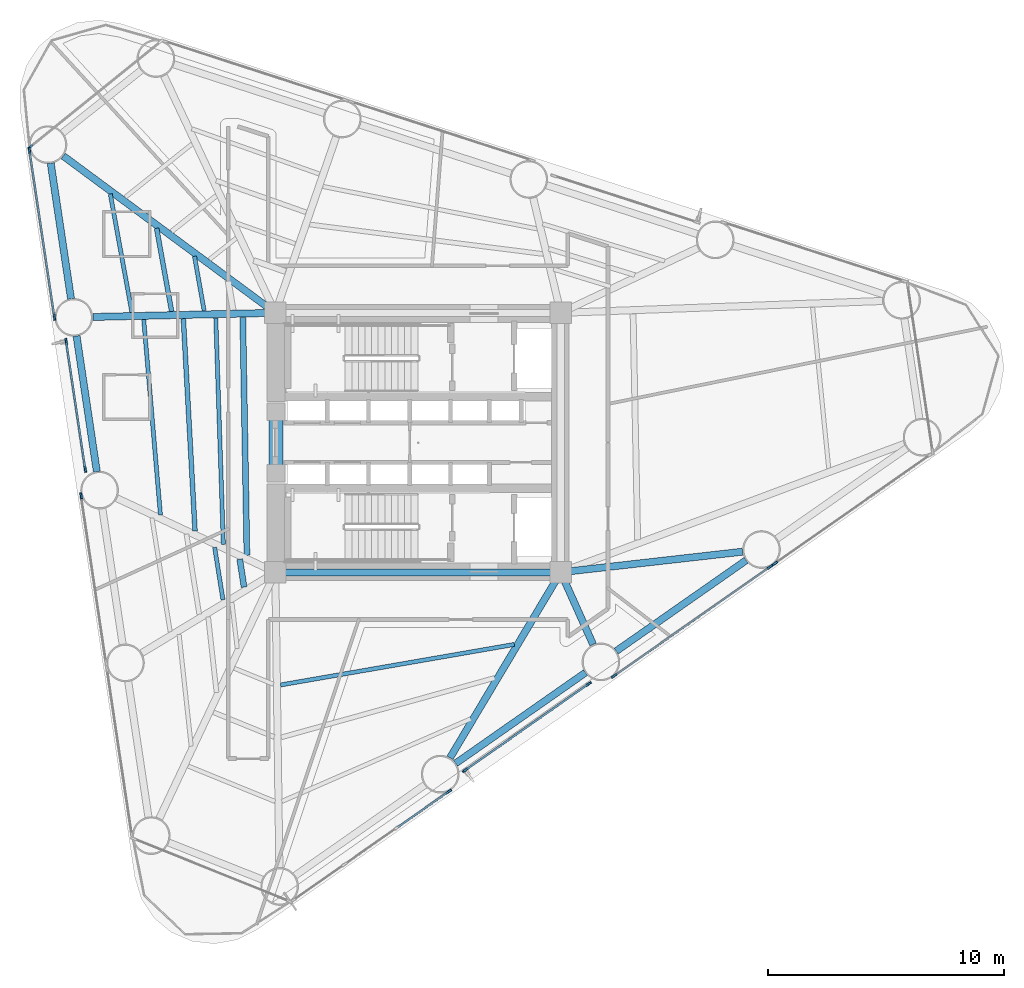
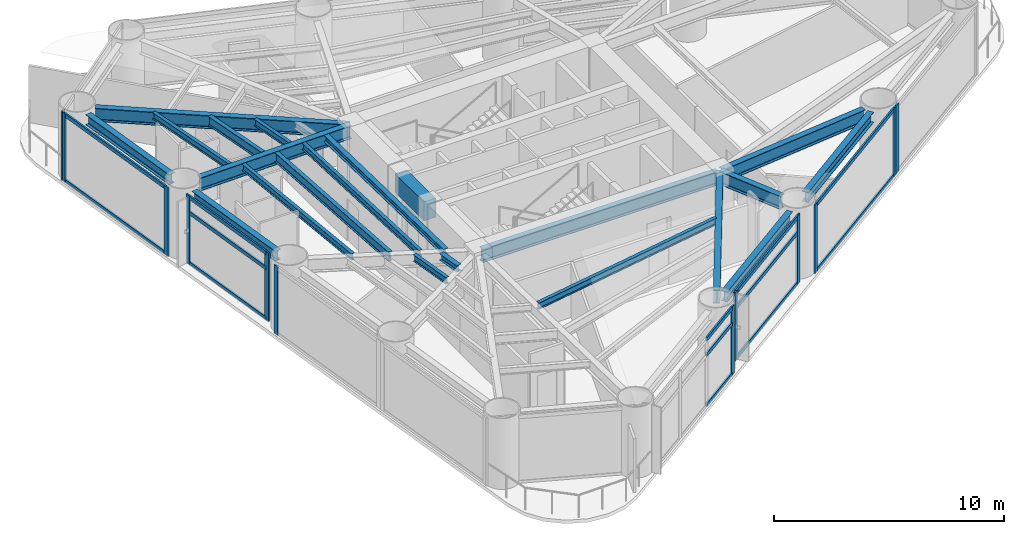
# One storey, part 2 of 11: 25 members, 21 beams, 8 elements without a shape of their own.
"""IFC4 building model written with IfcOpenShell, lengths in metres."""

from ifc_helpers import new_model, si_unit, direction, frame, origin, origin_2d, place, context, subcontext, project, spatial, rectangle, i_section, extrude, source, transform, mapped, material, layer, layer_set, material_profile, profile_set, type_object, element, aggregate, save


model = new_model("IFC4")

# Units and contexts
model_context = context("Model", 3, precision=1e-05, world=origin(), true_north=direction((0.0, 1.0)))
body_context = subcontext(model_context, "Body", "Model", "MODEL_VIEW")
ifc_project = project(units=[si_unit("LENGTHUNIT", "METRE"), si_unit("AREAUNIT", "SQUARE_METRE"), si_unit("VOLUMEUNIT", "CUBIC_METRE"), si_unit("PLANEANGLEUNIT", "RADIAN"), si_unit("MASSUNIT", "GRAM", prefix="KILO")], contexts=[model_context])

# Site, building, storey
site_placement = place(None, origin())
site = spatial("IfcSite", under=ifc_project, at=site_placement, CompositionType="ELEMENT")
building_placement = place(site_placement, origin())
building = spatial("IfcBuilding", under=site, at=building_placement, Name="Yunling Apex Tower", CompositionType="ELEMENT")
storey_placement = place(building_placement, frame((0.0, 0.0, 54.800048828125)))
storey = spatial("IfcBuildingStorey", under=building, at=storey_placement, Name="L14", CompositionType="ELEMENT", Elevation=54.800048828125)

# Beams
ifc_material_1 = material(Name="Concrete C60", Category="concrete")
ifc_material_profile_1 = material_profile(ifc_material_1, rectangle(XDim=0.60009765625, YDim=1.0, at=origin_2d()))
ifc_profile_set_1 = profile_set([ifc_material_profile_1], Name="Concrete C60")
beam_type_1 = type_object("IfcBeamType", Name="BC-CPL-1", PredefinedType="BEAM", material=ifc_profile_set_1)
shared_shape_1 = source(origin(), body_context, "Body", "SweptSolid", [
    extrude(rectangle(XDim=0.60009765625, YDim=1.0, at=origin_2d()), origin(), (0.0, 0.0, 1.0), 2.5),
])
beam_1_placement = place(storey_placement, frame((-6.02490234375, -1.25, 3.06494140625), z_axis=(0.0, 1.0, 0.0), x_axis=(-1.0, 0.0, 0.0)))
element("IfcBeam", 1, at=beam_1_placement, inside=storey, type_object=beam_type_1, Name="L14 Core West Portal Coupling Beam", PredefinedType="BEAM", context=body_context, shape_type="MappedRepresentation", body=[
    mapped(shared_shape_1, transform((0.0, 0.0, 0.0), scale=1.0)),
])
ifc_material_2 = material(Name="Steel Q355B", Category="steel")
ifc_material_profile_2 = material_profile(ifc_material_2, i_section(OverallWidth=0.300048828125, OverallDepth=0.699951171875, WebThickness=0.012939453125, FlangeThickness=0.02392578125, FilletRadius=0.02587890625, at=origin_2d()))
ifc_profile_set_2 = profile_set([ifc_material_profile_2], Name="Steel Q355B")
beam_type_2 = type_object("IfcBeamType", Name="BG-PRI-3", PredefinedType="USERDEFINED", material=ifc_profile_set_2)
shared_shape_2 = source(origin(), body_context, "Body", "SweptSolid", [
    extrude(i_section(OverallWidth=0.300048828125, OverallDepth=0.699951171875, WebThickness=0.012939453125, FlangeThickness=0.02392578125, FilletRadius=0.02587890625, at=origin_2d()), origin(), (0.0, 0.0, 1.0), 11.7998046875),
])
beam_2_placement = place(storey_placement, frame((-5.89990234375, -5.5, 3.21484375), z_axis=(1.0, 0.0, 0.0), x_axis=(0.0, 1.0, 0.0)))
element("IfcBeam", 2, at=beam_2_placement, inside=storey, type_object=beam_type_2, Name="L14 Core Ring Tie Beam 1", ObjectType="GIRDER", PredefinedType="USERDEFINED", context=body_context, shape_type="MappedRepresentation", body=[
    mapped(shared_shape_2, transform((0.0, 0.0, 0.0), scale=1.0)),
])
ifc_material_profile_3 = material_profile(ifc_material_2, i_section(OverallWidth=0.300048828125, OverallDepth=0.5400390625, WebThickness=0.011962890625, FlangeThickness=0.02001953125, FilletRadius=0.02392578125, at=origin_2d()))
ifc_profile_set_3 = profile_set([ifc_material_profile_3], Name="Steel Q355B")
beam_type_3 = type_object("IfcBeamType", Name="BP-SPN-1", PredefinedType="SPANDREL", material=ifc_profile_set_3)
shared_shape_3 = source(origin(), body_context, "Body", "SweptSolid", [
    extrude(i_section(OverallWidth=0.300048828125, OverallDepth=0.5400390625, WebThickness=0.011962890625, FlangeThickness=0.02001953125, FilletRadius=0.02392578125, at=origin_2d()), origin(), (0.0, 0.0, 1.0), 6.721435546875),
])
for number, where, z_axis, x_axis, name in (
    (3, (1.59228515625, -13.60302734375, 3.294921875), (0.81955772083, 0.572996633697, 0.0), (-0.572996633697, 0.81955772083, 0.0), "L14 Perimeter Spandrel Beam 2"),
    (4, (8.40234375, -8.841796875, 3.294921875), (0.81955772083, 0.572996633697, 0.0), (-0.572996633697, 0.81955772083, 0.0), "L14 Perimeter Spandrel Beam 3"),
):
    element("IfcBeam", number, at=place(storey_placement, frame(where, z_axis=z_axis, x_axis=x_axis)), inside=storey, type_object=beam_type_3, Name=name, PredefinedType="SPANDREL", context=body_context, shape_type="MappedRepresentation", body=[
        mapped(shared_shape_3, transform((0.0, 0.0, 0.0), scale=1.0)),
    ])
shared_shape_4 = source(origin(), body_context, "Body", "SweptSolid", [
    extrude(i_section(OverallWidth=0.300048828125, OverallDepth=0.5400390625, WebThickness=0.011962890625, FlangeThickness=0.02001953125, FilletRadius=0.02392578125, at=origin_2d()), origin(), (0.0, 0.0, 1.0), 5.81689453125),
])
for number, where, z_axis, x_axis, name in (
    (5, (-15.57177734375, 11.84423828125, 3.294921875), (0.147823230204, -0.989013797989, 0.0), (0.989013797989, 0.147823230204, 0.0), "L14 Perimeter Spandrel Beam 11"),
    (6, (-14.477294921875, 4.5205078125, 3.294921875), (0.147823230204, -0.989013797989, 0.0), (0.989013797989, 0.147823230204, 0.0), "L14 Perimeter Spandrel Beam 12"),
):
    element("IfcBeam", number, at=place(storey_placement, frame(where, z_axis=z_axis, x_axis=x_axis)), inside=storey, type_object=beam_type_3, Name=name, PredefinedType="SPANDREL", context=body_context, shape_type="MappedRepresentation", body=[
        mapped(shared_shape_4, transform((0.0, 0.0, 0.0), scale=1.0)),
    ])
shared_shape_5 = source(origin(), body_context, "Body", "SweptSolid", [
    extrude(i_section(OverallWidth=0.300048828125, OverallDepth=0.699951171875, WebThickness=0.012939453125, FlangeThickness=0.02392578125, FilletRadius=0.02587890625, at=origin_2d()), origin(), (0.0, 0.0, 1.0), 9.078857421875),
])
beam_3_placement = place(storey_placement, frame((1.355712890625, -13.3642578125, 3.21484375), z_axis=(0.512544819157, 0.858660473269, 0.0), x_axis=(-0.858660473269, 0.512544819157, 0.0)))
element("IfcBeam", 7, at=beam_3_placement, inside=storey, type_object=beam_type_2, Name="L14 Radial Primary Girder R02", ObjectType="GIRDER", PredefinedType="USERDEFINED", context=body_context, shape_type="MappedRepresentation", body=[
    mapped(shared_shape_5, transform((0.0, 0.0, 0.0), scale=1.0)),
])
shared_shape_6 = source(origin(), body_context, "Body", "SweptSolid", [
    extrude(i_section(OverallWidth=0.300048828125, OverallDepth=0.699951171875, WebThickness=0.012939453125, FlangeThickness=0.02392578125, FilletRadius=0.02587890625, at=origin_2d()), origin(), (0.0, 0.0, 1.0), 3.272705078125),
])
beam_4_placement = place(storey_placement, frame((7.421142578125, -8.5595703125, 3.21484375), z_axis=(-0.408946662986, 0.912558286814, 0.0), x_axis=(-0.912558286814, -0.408946662986, 0.0)))
element("IfcBeam", 8, at=beam_4_placement, inside=storey, type_object=beam_type_2, Name="L14 Radial Primary Girder R03", ObjectType="GIRDER", PredefinedType="USERDEFINED", context=body_context, shape_type="MappedRepresentation", body=[
    mapped(shared_shape_6, transform((0.0, 0.0, 0.0), scale=1.0)),
])
shared_shape_7 = source(origin(), body_context, "Body", "SweptSolid", [
    extrude(i_section(OverallWidth=0.300048828125, OverallDepth=0.699951171875, WebThickness=0.012939453125, FlangeThickness=0.02392578125, FilletRadius=0.02587890625, at=origin_2d()), origin(), (0.0, 0.0, 1.0), 7.677978515625),
])
beam_5_placement = place(storey_placement, frame((13.758544921875, -4.62646484375, 3.21484375), z_axis=(-0.993640958951, -0.112595047382, 0.0), x_axis=(0.112595047382, -0.993640958951, 0.0)))
element("IfcBeam", 9, at=beam_5_placement, inside=storey, type_object=beam_type_2, Name="L14 Radial Primary Girder R04", ObjectType="GIRDER", PredefinedType="USERDEFINED", context=body_context, shape_type="MappedRepresentation", body=[
    mapped(shared_shape_7, transform((0.0, 0.0, 0.0), scale=1.0)),
])
shared_shape_8 = source(origin(), body_context, "Body", "SweptSolid", [
    extrude(i_section(OverallWidth=0.300048828125, OverallDepth=0.699951171875, WebThickness=0.012939453125, FlangeThickness=0.02392578125, FilletRadius=0.02587890625, at=origin_2d()), origin(), (0.0, 0.0, 1.0), 11.101318359375),
])
beam_6_placement = place(storey_placement, frame((-15.03955078125, 12.14892578125, 3.21484375), z_axis=(0.803988254112, -0.594645177606, 0.0), x_axis=(0.594645177606, 0.803988254112, 0.0)))
element("IfcBeam", 10, at=beam_6_placement, inside=storey, type_object=beam_type_2, Name="L14 Radial Primary Girder R11", ObjectType="GIRDER", PredefinedType="USERDEFINED", context=body_context, shape_type="MappedRepresentation", body=[
    mapped(shared_shape_8, transform((0.0, 0.0, 0.0), scale=1.0)),
])
shared_shape_9 = source(origin(), body_context, "Body", "SweptSolid", [
    extrude(i_section(OverallWidth=0.300048828125, OverallDepth=0.699951171875, WebThickness=0.012939453125, FlangeThickness=0.02392578125, FilletRadius=0.02587890625, at=origin_2d()), origin(), (0.0, 0.0, 1.0), 7.658935546875),
])
beam_7_placement = place(storey_placement, frame((-13.786865234375, 5.32421875, 3.21484375), z_axis=(0.999741687414, 0.022727922173, 0.0), x_axis=(-0.022727922173, 0.999741687414, 0.0)))
element("IfcBeam", 11, at=beam_7_placement, inside=storey, type_object=beam_type_2, Name="L14 Radial Primary Girder R12", ObjectType="GIRDER", PredefinedType="USERDEFINED", context=body_context, shape_type="MappedRepresentation", body=[
    mapped(shared_shape_9, transform((0.0, 0.0, 0.0), scale=1.0)),
])
ifc_material_profile_4 = material_profile(ifc_material_2, i_section(OverallWidth=0.175048828125, OverallDepth=0.35009765625, WebThickness=0.007080078125, FlangeThickness=0.010986328125, FilletRadius=0.013916015625, at=origin_2d()))
ifc_profile_set_4 = profile_set([ifc_material_profile_4], Name="Steel Q355B")
beam_type_4 = type_object("IfcBeamType", Name="BJ-JST-1", PredefinedType="JOIST", material=ifc_profile_set_4)
shared_shape_10 = source(origin(), body_context, "Body", "SweptSolid", [
    extrude(i_section(OverallWidth=0.175048828125, OverallDepth=0.35009765625, WebThickness=0.007080078125, FlangeThickness=0.010986328125, FilletRadius=0.013916015625, at=origin_2d()), origin(), (0.0, 0.0, 1.0), 10.057861328125),
])
beam_8_placement = place(storey_placement, frame((-5.826904296875, -10.276611328125, 3.389892578125), z_axis=(0.985298923649, 0.170839196488, 0.0), x_axis=(-0.170839196488, 0.985298923649, 0.0)))
element("IfcBeam", 12, at=beam_8_placement, inside=storey, type_object=beam_type_4, Name="L14 Composite Floor Joist BJ3-1", PredefinedType="JOIST", context=body_context, shape_type="MappedRepresentation", body=[
    mapped(shared_shape_10, transform((0.0, 0.0, 0.0), scale=1.0)),
])
ifc_material_profile_5 = material_profile(ifc_material_2, i_section(OverallWidth=0.199951171875, OverallDepth=0.5, WebThickness=0.010009765625, FlangeThickness=0.01611328125, FilletRadius=0.02001953125, at=origin_2d()))
ifc_profile_set_5 = profile_set([ifc_material_profile_5], Name="Steel Q355B")
beam_type_5 = type_object("IfcBeamType", Name="BS-SEC-2", PredefinedType="BEAM", material=ifc_profile_set_5)
shared_shape_11 = source(origin(), body_context, "Body", "SweptSolid", [
    extrude(i_section(OverallWidth=0.199951171875, OverallDepth=0.5, WebThickness=0.010009765625, FlangeThickness=0.01611328125, FilletRadius=0.02001953125, at=origin_2d()), origin(), (0.0, 0.0, 1.0), 3.5859375),
])
beam_9_placement = place(storey_placement, frame((-11.083984375, 9.0869140625, 3.31494140625), z_axis=(0.177830877335, -0.984061064704, 0.0), x_axis=(0.984061064704, 0.177830877335, 0.0)))
element("IfcBeam", 13, at=beam_9_placement, inside=storey, type_object=beam_type_5, Name="L14 Composite Floor Beam BS-11", PredefinedType="BEAM", context=body_context, shape_type="MappedRepresentation", body=[
    mapped(shared_shape_11, transform((0.0, 0.0, 0.0), scale=1.0)),
])
shared_shape_12 = source(origin(), body_context, "Body", "SweptSolid", [
    extrude(i_section(OverallWidth=0.175048828125, OverallDepth=0.35009765625, WebThickness=0.007080078125, FlangeThickness=0.010986328125, FilletRadius=0.013916015625, at=origin_2d()), origin(), (0.0, 0.0, 1.0), 5.102294921875),
])
beam_10_placement = place(storey_placement, frame((-13.047119140625, 10.539306640625, 3.389892578125), z_axis=(0.179533864947, -0.983751793562, 0.0), x_axis=(0.983751793562, 0.179533864947, 0.0)))
element("IfcBeam", 14, at=beam_10_placement, inside=storey, type_object=beam_type_4, Name="L14 Composite Floor Joist BJ1-11", PredefinedType="JOIST", context=body_context, shape_type="MappedRepresentation", body=[
    mapped(shared_shape_12, transform((0.0, 0.0, 0.0), scale=1.0)),
])
shared_shape_13 = source(origin(), body_context, "Body", "SweptSolid", [
    extrude(i_section(OverallWidth=0.175048828125, OverallDepth=0.35009765625, WebThickness=0.007080078125, FlangeThickness=0.010986328125, FilletRadius=0.013916015625, at=origin_2d()), origin(), (0.0, 0.0, 1.0), 2.34521484375),
])
beam_11_placement = place(storey_placement, frame((-9.477783203125, 7.898681640625, 3.389892578125), z_axis=(0.174889813897, -0.984588011808, 0.0), x_axis=(0.984588011808, 0.174889813897, 0.0)))
element("IfcBeam", 15, at=beam_11_placement, inside=storey, type_object=beam_type_4, Name="L14 Composite Floor Joist BJ3-11", PredefinedType="JOIST", context=body_context, shape_type="MappedRepresentation", body=[
    mapped(shared_shape_13, transform((0.0, 0.0, 0.0), scale=1.0)),
])
shared_shape_14 = source(origin(), body_context, "Body", "SweptSolid", [
    extrude(i_section(OverallWidth=0.199951171875, OverallDepth=0.5, WebThickness=0.010009765625, FlangeThickness=0.01611328125, FilletRadius=0.02001953125, at=origin_2d()), origin(), (0.0, 0.0, 1.0), 9.018310546875),
])
beam_12_placement = place(storey_placement, frame((-9.94970703125, 5.25146484375, 3.31494140625), z_axis=(0.054955731572, -0.998488791909, 0.0), x_axis=(0.998488791909, 0.054955731572, 0.0)))
element("IfcBeam", 16, at=beam_12_placement, inside=storey, type_object=beam_type_5, Name="L14 Composite Floor Beam BS-12", PredefinedType="BEAM", context=body_context, shape_type="MappedRepresentation", body=[
    mapped(shared_shape_14, transform((0.0, 0.0, 0.0), scale=1.0)),
])
shared_shape_15 = source(origin(), body_context, "Body", "SweptSolid", [
    extrude(i_section(OverallWidth=0.175048828125, OverallDepth=0.35009765625, WebThickness=0.007080078125, FlangeThickness=0.010986328125, FilletRadius=0.013916015625, at=origin_2d()), origin(), (0.0, 0.0, 1.0), 8.313720703125),
])
beam_13_placement = place(storey_placement, frame((-11.62939453125, 5.21337890625, 3.389892578125), z_axis=(0.085220398072, -0.996362124808, 0.0), x_axis=(0.996362124808, 0.085220398072, 0.0)))
element("IfcBeam", 17, at=beam_13_placement, inside=storey, type_object=beam_type_4, Name="L14 Composite Floor Joist BJ1-12", PredefinedType="JOIST", context=body_context, shape_type="MappedRepresentation", body=[
    mapped(shared_shape_15, transform((0.0, 0.0, 0.0), scale=1.0)),
])
shared_shape_16 = source(origin(), body_context, "Body", "SweptSolid", [
    extrude(i_section(OverallWidth=0.175048828125, OverallDepth=0.35009765625, WebThickness=0.007080078125, FlangeThickness=0.010986328125, FilletRadius=0.013916015625, at=origin_2d()), origin(), (0.0, 0.0, 1.0), 9.600341796875),
])
beam_14_placement = place(storey_placement, frame((-8.57470703125, 5.28271484375, 3.389892578125), z_axis=(0.033364787957, -0.999443240472, 0.0), x_axis=(0.999443240472, 0.033364787957, 0.0)))
element("IfcBeam", 18, at=beam_14_placement, inside=storey, type_object=beam_type_4, Name="L14 Composite Floor Joist BJ3-12", PredefinedType="JOIST", context=body_context, shape_type="MappedRepresentation", body=[
    mapped(shared_shape_16, transform((0.0, 0.0, 0.0), scale=1.0)),
])
ifc_material_profile_6 = material_profile(ifc_material_2, i_section(OverallWidth=0.25, OverallDepth=0.340087890625, WebThickness=0.009033203125, FlangeThickness=0.013916015625, FilletRadius=0.01806640625, at=origin_2d()))
ifc_profile_set_6 = profile_set([ifc_material_profile_6], Name="Steel Q355B")
beam_type_6 = type_object("IfcBeamType", Name="BJ-JST-2", PredefinedType="JOIST", material=ifc_profile_set_6)
shared_shape_17 = source(origin(), body_context, "Body", "SweptSolid", [
    extrude(i_section(OverallWidth=0.25, OverallDepth=0.340087890625, WebThickness=0.009033203125, FlangeThickness=0.013916015625, FilletRadius=0.01806640625, at=origin_2d()), origin(), (0.0, 0.0, 1.0), 10.088134765625),
])
beam_15_placement = place(storey_placement, frame((-7.428955078125, 5.30859375, 3.39501953125), z_axis=(0.017255085284, -0.999851119933, 0.0), x_axis=(0.999851119933, 0.017255085284, 0.0)))
element("IfcBeam", 19, at=beam_15_placement, inside=storey, type_object=beam_type_6, Name="L14 Composite Floor Joist BJ2-12", PredefinedType="JOIST", context=body_context, shape_type="MappedRepresentation", body=[
    mapped(shared_shape_17, transform((0.0, 0.0, 0.0), scale=1.0)),
])
shared_shape_18 = source(origin(), body_context, "Body", "SweptSolid", [
    extrude(i_section(OverallWidth=0.175048828125, OverallDepth=0.35009765625, WebThickness=0.007080078125, FlangeThickness=0.010986328125, FilletRadius=0.013916015625, at=origin_2d()), origin(), (0.0, 0.0, 1.0), 2.252685546875),
])
beam_16_placement = place(storey_placement, frame((-8.622802734375, -4.443603515625, 3.389892578125), z_axis=(0.156608129458, -0.987660819203, 0.0), x_axis=(0.987660819203, 0.156608129458, 0.0)))
element("IfcBeam", 20, at=beam_16_placement, inside=storey, type_object=beam_type_4, Name="L14 Composite Floor Joist BJ3-13", PredefinedType="JOIST", context=body_context, shape_type="MappedRepresentation", body=[
    mapped(shared_shape_18, transform((0.0, 0.0, 0.0), scale=1.0)),
])
shared_shape_19 = source(origin(), body_context, "Body", "SweptSolid", [
    extrude(i_section(OverallWidth=0.25, OverallDepth=0.340087890625, WebThickness=0.009033203125, FlangeThickness=0.013916015625, FilletRadius=0.01806640625, at=origin_2d()), origin(), (0.0, 0.0, 1.0), 1.20068359375),
])
beam_17_placement = place(storey_placement, frame((-7.559814453125, -4.94091796875, 3.39501953125), z_axis=(0.154531945298, -0.987987792375, 0.0), x_axis=(0.987987792375, 0.154531945298, 0.0)))
element("IfcBeam", 21, at=beam_17_placement, inside=storey, type_object=beam_type_6, Name="L14 Composite Floor Joist BJ2-13", PredefinedType="JOIST", context=body_context, shape_type="MappedRepresentation", body=[
    mapped(shared_shape_19, transform((0.0, 0.0, 0.0), scale=1.0)),
])

# Curtain wall, member
ifc_material_3 = material(Name="Bronze anodised aluminium", Category="aluminium")
ifc_layer = layer(ifc_material_3, 0.260009765625)
ifc_layer_set = layer_set([ifc_layer], Name="Bronze anodised aluminium")
curtain_wall_type = type_object("IfcCurtainWallType", Name="CW-SYS-2", PredefinedType="NOTDEFINED", material=ifc_layer_set)
curtain_wall_1_placement = place(storey_placement, origin())
curtain_wall_1 = element("IfcCurtainWall", 22, at=curtain_wall_1_placement, inside=storey, type_object=curtain_wall_type, Name="CW-L14-F1-B1", PredefinedType="NOTDEFINED")
ifc_material_profile_7 = material_profile(ifc_material_3, rectangle(XDim=0.0849609375, YDim=0.260009765625, at=origin_2d()))
ifc_profile_set_7 = profile_set([ifc_material_profile_7], Name="Bronze anodised aluminium")
member_type_1 = type_object("IfcMemberType", Name="CW-MUL-2", PredefinedType="MULLION", material=ifc_profile_set_7)
shared_shape_20 = source(origin(), body_context, "Body", "SweptSolid", [
    extrude(rectangle(XDim=0.0849609375, YDim=0.260009765625, at=origin_2d()), origin(), (0.0, 0.0, 1.0), 3.6650390625),
])
member_1_placement = place(storey_placement, frame((1.305419921875, -14.7919921875, -0.050048828125), z_axis=(0.0, 0.0, 1.0), x_axis=(-0.573004358875, 0.819552319691, 0.0)))
member_1 = element("IfcMember", 23, at=member_1_placement, type_object=member_type_1, Name="CW-SYS-2 mullion 4", PredefinedType="MULLION", context=body_context, shape_type="MappedRepresentation", body=[
    mapped(shared_shape_20, transform((0.0, 0.0, 0.0), scale=1.0)),
])

# Curtain wall, members
curtain_wall_2_placement = place(storey_placement, origin())
curtain_wall_2 = element("IfcCurtainWall", 24, at=curtain_wall_2_placement, inside=storey, type_object=curtain_wall_type, Name="CW-L14-F1-B2", PredefinedType="NOTDEFINED")
member_2_placement = place(storey_placement, frame((1.999755859375, -13.8916015625, -0.050048828125), z_axis=(0.0, 0.0, 1.0), x_axis=(-0.573002671888, 0.819553499175, 0.0)))
member_2 = element("IfcMember", 25, at=member_2_placement, type_object=member_type_1, Name="CW-SYS-2 mullion 1", PredefinedType="MULLION", context=body_context, shape_type="MappedRepresentation", body=[
    mapped(shared_shape_20, transform((0.0, 0.0, 0.0), scale=1.0)),
])
member_3_placement = place(storey_placement, frame((7.232177734375, -10.2333984375, -0.050048828125), z_axis=(0.0, 0.0, 1.0), x_axis=(-0.573002671888, 0.819553499175, 0.0)))
member_3 = element("IfcMember", 26, at=member_3_placement, type_object=member_type_1, Name="CW-SYS-2 mullion 2", PredefinedType="MULLION", context=body_context, shape_type="MappedRepresentation", body=[
    mapped(shared_shape_20, transform((0.0, 0.0, 0.0), scale=1.0)),
])

curtain_wall_3_placement = place(storey_placement, origin())
curtain_wall_3 = element("IfcCurtainWall", 27, at=curtain_wall_3_placement, inside=storey, type_object=curtain_wall_type, Name="CW-L14-F1-B3", PredefinedType="NOTDEFINED")
member_4_placement = place(storey_placement, frame((8.31591796875, -9.890380859375, -0.050048828125), z_axis=(0.0, 0.0, 1.0), x_axis=(-0.572996116804, 0.819558082217, 0.0)))
member_4 = element("IfcMember", 28, at=member_4_placement, type_object=member_type_1, Name="CW-SYS-2 mullion 1", PredefinedType="MULLION", context=body_context, shape_type="MappedRepresentation", body=[
    mapped(shared_shape_20, transform((0.0, 0.0, 0.0), scale=1.0)),
])
member_5_placement = place(storey_placement, frame((14.925048828125, -5.26953125, -0.050048828125), z_axis=(0.0, 0.0, 1.0), x_axis=(-0.572996116804, 0.819558082217, 0.0)))
member_5 = element("IfcMember", 29, at=member_5_placement, type_object=member_type_1, Name="CW-SYS-2 mullion 2", PredefinedType="MULLION", context=body_context, shape_type="MappedRepresentation", body=[
    mapped(shared_shape_20, transform((0.0, 0.0, 0.0), scale=1.0)),
])

# Curtain wall, member
curtain_wall_4_placement = place(storey_placement, origin())
curtain_wall_4 = element("IfcCurtainWall", 30, at=curtain_wall_4_placement, inside=storey, type_object=curtain_wall_type, Name="CW-L14-F1-B4", PredefinedType="NOTDEFINED")
member_6_placement = place(storey_placement, frame((15.1259765625, -5.129150390625, -0.050048828125), z_axis=(0.0, 0.0, 1.0), x_axis=(-0.573004358875, 0.819552319691, 0.0)))
member_6 = element("IfcMember", 31, at=member_6_placement, type_object=member_type_1, Name="CW-SYS-2 mullion 1", PredefinedType="MULLION", context=body_context, shape_type="MappedRepresentation", body=[
    mapped(shared_shape_20, transform((0.0, 0.0, 0.0), scale=1.0)),
])
aggregate(curtain_wall_4, [member_6])

curtain_wall_5_placement = place(storey_placement, origin())
curtain_wall_5 = element("IfcCurtainWall", 32, at=curtain_wall_5_placement, inside=storey, type_object=curtain_wall_type, Name="CW-L14-CRN2", PredefinedType="NOTDEFINED")
member_7_placement = place(storey_placement, frame((-16.4375, 12.539306640625, -0.050048828125), z_axis=(0.0, 0.0, 1.0), x_axis=(0.628079941911, -0.778148820322, 0.0)))
member_7 = element("IfcMember", 33, at=member_7_placement, type_object=member_type_1, Name="CW-SYS-2 mullion 2", PredefinedType="MULLION", context=body_context, shape_type="MappedRepresentation", body=[
    mapped(shared_shape_20, transform((0.0, 0.0, 0.0), scale=1.0)),
])
aggregate(curtain_wall_5, [member_7])

# Curtain wall, members
curtain_wall_6_placement = place(storey_placement, origin())
curtain_wall_6 = element("IfcCurtainWall", 34, at=curtain_wall_6_placement, inside=storey, type_object=curtain_wall_type, Name="CW-L14-F3-B1", PredefinedType="NOTDEFINED")
member_8_placement = place(storey_placement, frame((-16.47216796875, 12.388671875, -0.050048828125), z_axis=(0.0, 0.0, 1.0), x_axis=(0.989017400941, 0.147799122579, 0.0)))
member_8 = element("IfcMember", 35, at=member_8_placement, type_object=member_type_1, Name="CW-SYS-2 mullion 1", PredefinedType="MULLION", context=body_context, shape_type="MappedRepresentation", body=[
    mapped(shared_shape_20, transform((0.0, 0.0, 0.0), scale=1.0)),
])
member_9_placement = place(storey_placement, frame((-15.413818359375, 5.307373046875, -0.050048828125), z_axis=(0.0, 0.0, 1.0), x_axis=(0.989017400941, 0.147799122579, 0.0)))
member_9 = element("IfcMember", 36, at=member_9_placement, type_object=member_type_1, Name="CW-SYS-2 mullion 2", PredefinedType="MULLION", context=body_context, shape_type="MappedRepresentation", body=[
    mapped(shared_shape_20, transform((0.0, 0.0, 0.0), scale=1.0)),
])

curtain_wall_7_placement = place(storey_placement, origin())
curtain_wall_7 = element("IfcCurtainWall", 37, at=curtain_wall_7_placement, inside=storey, type_object=curtain_wall_type, Name="CW-L14-F3-B2", PredefinedType="NOTDEFINED")
member_10_placement = place(storey_placement, frame((-14.917236328125, 4.28466796875, -0.050048828125), z_axis=(0.0, 0.0, 1.0), x_axis=(0.98901713531, 0.147800900076, 0.0)))
member_10 = element("IfcMember", 38, at=member_10_placement, type_object=member_type_1, Name="CW-SYS-2 mullion 1", PredefinedType="MULLION", context=body_context, shape_type="MappedRepresentation", body=[
    mapped(shared_shape_20, transform((0.0, 0.0, 0.0), scale=1.0)),
])
member_11_placement = place(storey_placement, frame((-14.107177734375, -1.13525390625, -0.050048828125), z_axis=(0.0, 0.0, 1.0), x_axis=(0.98901713531, 0.147800900076, 0.0)))
member_11 = element("IfcMember", 39, at=member_11_placement, type_object=member_type_1, Name="CW-SYS-2 mullion 2", PredefinedType="MULLION", context=body_context, shape_type="MappedRepresentation", body=[
    mapped(shared_shape_20, transform((0.0, 0.0, 0.0), scale=1.0)),
])

# Curtain wall, member
curtain_wall_8_placement = place(storey_placement, origin())
curtain_wall_8 = element("IfcCurtainWall", 40, at=curtain_wall_8_placement, inside=storey, type_object=curtain_wall_type, Name="CW-L14-F3-B3", PredefinedType="NOTDEFINED")
member_12_placement = place(storey_placement, frame((-14.283203125, -2.258544921875, -0.050048828125), z_axis=(0.0, 0.0, 1.0), x_axis=(0.98901508166, 0.147814641525, 0.0)))
member_12 = element("IfcMember", 41, at=member_12_placement, type_object=member_type_1, Name="CW-SYS-2 mullion 1", PredefinedType="MULLION", context=body_context, shape_type="MappedRepresentation", body=[
    mapped(shared_shape_20, transform((0.0, 0.0, 0.0), scale=1.0)),
])
aggregate(curtain_wall_8, [member_12])

# Member
ifc_material_profile_8 = material_profile(ifc_material_3, rectangle(XDim=0.0849609375, YDim=0.199951171875, at=origin_2d()))
ifc_profile_set_8 = profile_set([ifc_material_profile_8], Name="Bronze anodised aluminium")
member_type_2 = type_object("IfcMemberType", Name="CW-TRN-2", PredefinedType="USERDEFINED", material=ifc_profile_set_8)
shared_shape_21 = source(origin(), body_context, "Body", "SweptSolid", [
    extrude(rectangle(XDim=0.0849609375, YDim=0.199951171875, at=origin_2d()), origin(), (0.0, 0.0, 1.0), 2.59765625),
])
member_13_placement = place(storey_placement, frame((-0.854736328125, -16.30224609375, 0.04248046875), z_axis=(0.819585012743, 0.572957596064, 0.0), x_axis=(-0.572957596064, 0.819585012743, 0.0)))
member_13 = element("IfcMember", 42, at=member_13_placement, type_object=member_type_2, Name="CW-SYS-2 transom 3.1", ObjectType="TRANSOM", PredefinedType="USERDEFINED", context=body_context, shape_type="MappedRepresentation", body=[
    mapped(shared_shape_21, transform((0.0, 0.0, 0.0), scale=1.0)),
])

member_14_placement = place(storey_placement, frame((-0.854736328125, -16.30224609375, 2.71484375), z_axis=(0.819585012743, 0.572957596064, 0.0), x_axis=(-0.572957596064, 0.819585012743, 0.0)))
member_14 = element("IfcMember", 43, at=member_14_placement, type_object=member_type_2, Name="CW-SYS-2 transom 3.2", ObjectType="TRANSOM", PredefinedType="USERDEFINED", context=body_context, shape_type="MappedRepresentation", body=[
    mapped(shared_shape_21, transform((0.0, 0.0, 0.0), scale=1.0)),
])

member_15_placement = place(storey_placement, frame((-0.854736328125, -16.30224609375, 3.5224609375), z_axis=(0.819585012743, 0.572957596064, 0.0), x_axis=(-0.572957596064, 0.819585012743, 0.0)))
member_15 = element("IfcMember", 44, at=member_15_placement, type_object=member_type_2, Name="CW-SYS-2 transom 3.3", ObjectType="TRANSOM", PredefinedType="USERDEFINED", context=body_context, shape_type="MappedRepresentation", body=[
    mapped(shared_shape_21, transform((0.0, 0.0, 0.0), scale=1.0)),
])

aggregate(curtain_wall_1, [member_1, member_13, member_14, member_15])

shared_shape_22 = source(origin(), body_context, "Body", "SweptSolid", [
    extrude(rectangle(XDim=0.0849609375, YDim=0.199951171875, at=origin_2d()), origin(), (0.0, 0.0, 1.0), 6.3076171875),
])
member_16_placement = place(storey_placement, frame((2.03125, -13.86962890625, 0.04248046875), z_axis=(0.819555463581, 0.57299986223, 0.0), x_axis=(-0.57299986223, 0.819555463581, 0.0)))
member_16 = element("IfcMember", 45, at=member_16_placement, type_object=member_type_2, Name="CW-SYS-2 transom 1.1", ObjectType="TRANSOM", PredefinedType="USERDEFINED", context=body_context, shape_type="MappedRepresentation", body=[
    mapped(shared_shape_22, transform((0.0, 0.0, 0.0), scale=1.0)),
])

member_17_placement = place(storey_placement, frame((2.03125, -13.86962890625, 2.71484375), z_axis=(0.819555463581, 0.57299986223, 0.0), x_axis=(-0.57299986223, 0.819555463581, 0.0)))
member_17 = element("IfcMember", 46, at=member_17_placement, type_object=member_type_2, Name="CW-SYS-2 transom 1.2", ObjectType="TRANSOM", PredefinedType="USERDEFINED", context=body_context, shape_type="MappedRepresentation", body=[
    mapped(shared_shape_22, transform((0.0, 0.0, 0.0), scale=1.0)),
])

member_18_placement = place(storey_placement, frame((2.03125, -13.86962890625, 3.5224609375), z_axis=(0.819555463581, 0.57299986223, 0.0), x_axis=(-0.57299986223, 0.819555463581, 0.0)))
member_18 = element("IfcMember", 47, at=member_18_placement, type_object=member_type_2, Name="CW-SYS-2 transom 1.3", ObjectType="TRANSOM", PredefinedType="USERDEFINED", context=body_context, shape_type="MappedRepresentation", body=[
    mapped(shared_shape_22, transform((0.0, 0.0, 0.0), scale=1.0)),
])

aggregate(curtain_wall_2, [member_2, member_3, member_16, member_17, member_18])

shared_shape_23 = source(origin(), body_context, "Body", "SweptSolid", [
    extrude(rectangle(XDim=0.0849609375, YDim=0.199951171875, at=origin_2d()), origin(), (0.0, 0.0, 1.0), 7.98779296875),
])
member_19_placement = place(storey_placement, frame((8.347412109375, -9.868408203125, 0.04248046875), z_axis=(0.819559176955, 0.572994550995, 0.0), x_axis=(-0.572994550995, 0.819559176955, 0.0)))
member_19 = element("IfcMember", 48, at=member_19_placement, type_object=member_type_2, Name="CW-SYS-2 transom 1.1", ObjectType="TRANSOM", PredefinedType="USERDEFINED", context=body_context, shape_type="MappedRepresentation", body=[
    mapped(shared_shape_23, transform((0.0, 0.0, 0.0), scale=1.0)),
])

member_20_placement = place(storey_placement, frame((8.347412109375, -9.868408203125, 3.5224609375), z_axis=(0.819559176955, 0.572994550995, 0.0), x_axis=(-0.572994550995, 0.819559176955, 0.0)))
member_20 = element("IfcMember", 49, at=member_20_placement, type_object=member_type_2, Name="CW-SYS-2 transom 1.2", ObjectType="TRANSOM", PredefinedType="USERDEFINED", context=body_context, shape_type="MappedRepresentation", body=[
    mapped(shared_shape_23, transform((0.0, 0.0, 0.0), scale=1.0)),
])

aggregate(curtain_wall_3, [member_4, member_5, member_19, member_20])

shared_shape_24 = source(origin(), body_context, "Body", "SweptSolid", [
    extrude(rectangle(XDim=0.0849609375, YDim=0.199951171875, at=origin_2d()), origin(), (0.0, 0.0, 1.0), 7.08349609375),
])
member_21_placement = place(storey_placement, frame((-16.466552734375, 12.350830078125, 0.04248046875), z_axis=(0.147826386349, -0.989013326249, 0.0), x_axis=(0.989013326249, 0.147826386349, 0.0)))
member_21 = element("IfcMember", 50, at=member_21_placement, type_object=member_type_2, Name="CW-SYS-2 transom 1.1", ObjectType="TRANSOM", PredefinedType="USERDEFINED", context=body_context, shape_type="MappedRepresentation", body=[
    mapped(shared_shape_24, transform((0.0, 0.0, 0.0), scale=1.0)),
])

member_22_placement = place(storey_placement, frame((-16.466552734375, 12.350830078125, 3.5224609375), z_axis=(0.147826386349, -0.989013326249, 0.0), x_axis=(0.989013326249, 0.147826386349, 0.0)))
member_22 = element("IfcMember", 51, at=member_22_placement, type_object=member_type_2, Name="CW-SYS-2 transom 1.2", ObjectType="TRANSOM", PredefinedType="USERDEFINED", context=body_context, shape_type="MappedRepresentation", body=[
    mapped(shared_shape_24, transform((0.0, 0.0, 0.0), scale=1.0)),
])

aggregate(curtain_wall_6, [member_8, member_9, member_21, member_22])

shared_shape_25 = source(origin(), body_context, "Body", "SweptSolid", [
    extrude(rectangle(XDim=0.0849609375, YDim=0.199951171875, at=origin_2d()), origin(), (0.0, 0.0, 1.0), 5.403564453125),
])
member_23_placement = place(storey_placement, frame((-14.91162109375, 4.246826171875, 0.04248046875), z_axis=(0.147788090943, -0.98901904945, 0.0), x_axis=(0.98901904945, 0.147788090943, 0.0)))
member_23 = element("IfcMember", 52, at=member_23_placement, type_object=member_type_2, Name="CW-SYS-2 transom 1.1", ObjectType="TRANSOM", PredefinedType="USERDEFINED", context=body_context, shape_type="MappedRepresentation", body=[
    mapped(shared_shape_25, transform((0.0, 0.0, 0.0), scale=1.0)),
])

member_24_placement = place(storey_placement, frame((-14.91162109375, 4.246826171875, 2.71484375), z_axis=(0.147788090943, -0.98901904945, 0.0), x_axis=(0.98901904945, 0.147788090943, 0.0)))
member_24 = element("IfcMember", 53, at=member_24_placement, type_object=member_type_2, Name="CW-SYS-2 transom 1.2", ObjectType="TRANSOM", PredefinedType="USERDEFINED", context=body_context, shape_type="MappedRepresentation", body=[
    mapped(shared_shape_25, transform((0.0, 0.0, 0.0), scale=1.0)),
])

member_25_placement = place(storey_placement, frame((-14.91162109375, 4.246826171875, 3.5224609375), z_axis=(0.147788090943, -0.98901904945, 0.0), x_axis=(0.98901904945, 0.147788090943, 0.0)))
member_25 = element("IfcMember", 54, at=member_25_placement, type_object=member_type_2, Name="CW-SYS-2 transom 1.3", ObjectType="TRANSOM", PredefinedType="USERDEFINED", context=body_context, shape_type="MappedRepresentation", body=[
    mapped(shared_shape_25, transform((0.0, 0.0, 0.0), scale=1.0)),
])

aggregate(curtain_wall_7, [member_10, member_11, member_23, member_24, member_25])

save(model, "model.ifc")
